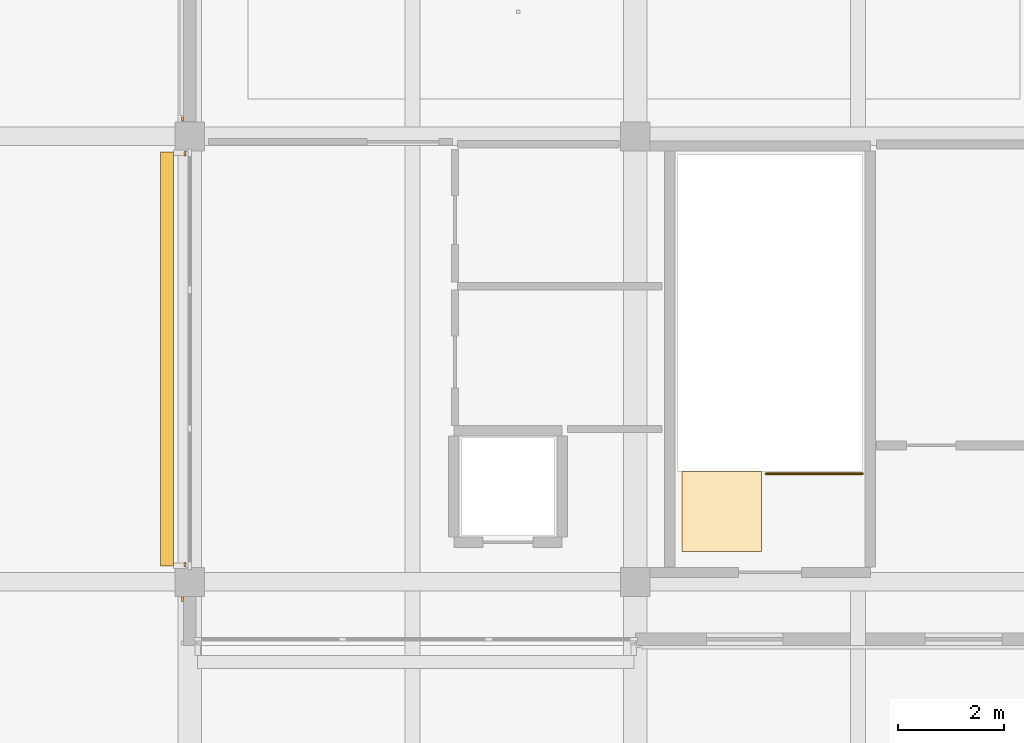
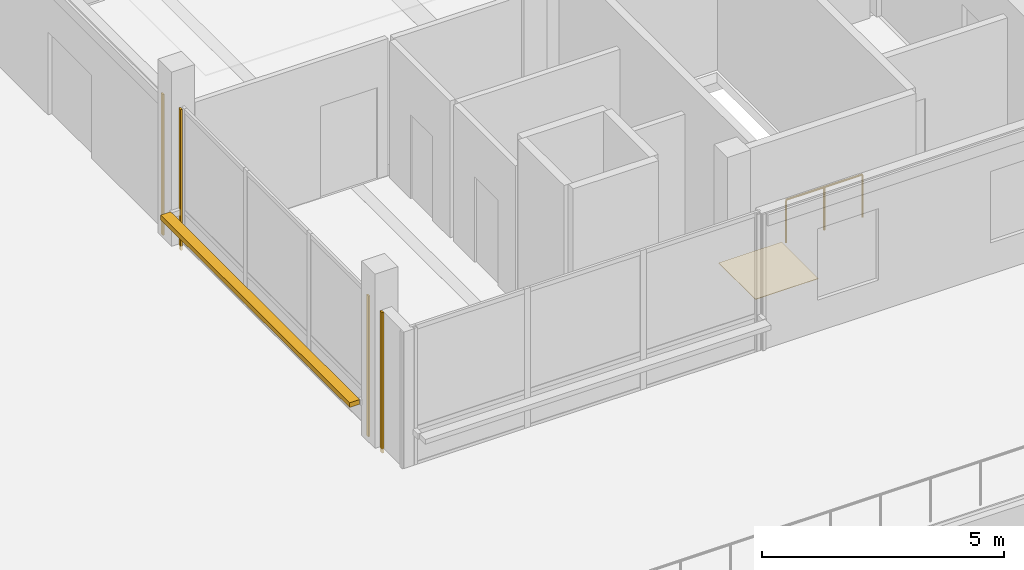
# One storey, part 39 of 59: 5 coverings, 1 railing, 1 shading device.
"""IFC4 building model written with IfcOpenShell, lengths in metres."""

from ifc_helpers import new_model, si_unit, direction, frame, origin, origin_2d, place, context, subcontext, project, spatial, polyline, rectangle, circle, outline, extrude, material, layer, layer_set, type_object, element, save


model = new_model("IFC4")

# Units and contexts
model_context = context("Model", 3, precision=1e-05, world=origin(), true_north=direction((0.0, 1.0)))
body_context = subcontext(model_context, "Body", "Model", "MODEL_VIEW")
ifc_project = project(units=[si_unit("LENGTHUNIT", "METRE"), si_unit("AREAUNIT", "SQUARE_METRE"), si_unit("VOLUMEUNIT", "CUBIC_METRE"), si_unit("PLANEANGLEUNIT", "RADIAN"), si_unit("MASSUNIT", "GRAM", prefix="KILO")], contexts=[model_context])

# Site, building, storey
site_placement = place(None, origin())
site = spatial("IfcSite", under=ifc_project, at=site_placement, CompositionType="ELEMENT")
building_placement = place(site_placement, origin())
building = spatial("IfcBuilding", under=site, at=building_placement, Name="Telukmera Botanical Conservatory", CompositionType="ELEMENT")
storey_placement = place(building_placement, frame((0.0, 0.0, 15.0)))
storey = spatial("IfcBuildingStorey", under=building, at=storey_placement, Name="L03", CompositionType="ELEMENT", Elevation=15.0)

# Coverings
ifc_material_1 = material(Name="Honed granite non-slip flooring", Category="masonry")
ifc_layer_1 = layer(ifc_material_1, 0.011962890625)
ifc_layer_set_1 = layer_set([ifc_layer_1], Name="Honed granite non-slip flooring")
covering_type_1 = type_object("IfcCoveringType", Name="COV-FLR-12", PredefinedType="FLOORING", material=ifc_layer_set_1)
covering_placement = place(storey_placement, origin())
element("IfcCovering", 1, at=covering_placement, inside=storey, type_object=covering_type_1, Name="L03 ST3 Non-Slip Stair Landing Finish", PredefinedType="FLOORING", context=body_context, shape_type="SweptSolid", body=[
    extrude(outline(polyline([(35.97998046875, 26.570068359375), (35.97998046875, 28.0849609375), (34.47998046875, 28.0849609375), (34.47998046875, 26.570068359375), (35.97998046875, 26.570068359375)])), origin(), (0.0, 0.0, 1.0), 0.011962890625),
])
ifc_material_2 = material(Name="Granite-faced precast concrete C40/50", Category="masonry")
ifc_layer_2 = layer(ifc_material_2, 0.0400390625)
ifc_layer_set_2 = layer_set([ifc_layer_2], Name="Granite-faced precast concrete C40/50")
covering_type_2 = type_object("IfcCoveringType", Name="Granite Precast Column Pier Reveal Casing", PredefinedType="CLADDING", material=ifc_layer_set_2)
for number, where, z_axis, x_axis, name in (
    (2, (25.06005859375, 25.673095703125, 0.0), (0.0, 0.0, 1.0), (0.0, 1.0, 0.0), "Granite Pier Reveal V3:L03:SWC R"),
    (3, (25.110107421875, 26.326904296875, 0.0), (0.0, 0.0, 1.0), (0.0, 1.0, 0.0), "Granite Pier Reveal V3:L03:W1 L"),
    (4, (25.110107421875, 34.072998046875, 0.0), (0.0, 0.0, 1.0), (0.0, 1.0, 0.0), "Granite Pier Reveal V3:L03:W1 R"),
    (5, (25.06005859375, 34.72705078125, 0.0), (0.0, 0.0, 1.0), (0.0, 1.0, 0.0), "Granite Pier Reveal V3:L03:W2 L"),
):
    element("IfcCovering", number, at=place(storey_placement, frame(where, z_axis=z_axis, x_axis=x_axis)), inside=storey, type_object=covering_type_2, Name=name, PredefinedType="CLADDING", context=body_context, shape_type="SweptSolid", body=[
        extrude(rectangle(XDim=0.080078125, YDim=0.0400390625, at=origin_2d()), origin(), (0.0, 0.0, 1.0), 3.550048828125),
    ])

# Shading device
ifc_material_3 = material(Name="Perforated terracotta-anodised aluminium 6063-T6", Category="masonry")
ifc_layer_3 = layer(ifc_material_3, 0.044921875)
ifc_layer_set_3 = layer_set([ifc_layer_3], Name="Perforated terracotta-anodised aluminium 6063-T6")
shading_device_type = type_object("IfcShadingDeviceType", Name="Perforated Terracotta Aluminium Monsoon Brise Soleil", PredefinedType="JALOUSIE", material=ifc_layer_set_3)
shading_device_placement = place(storey_placement, frame((24.77001953125, 30.199951171875, 0.889892578125), z_axis=(0.0, 0.0, 1.0), x_axis=(0.0, 1.0, 0.0)))
element("IfcShadingDevice", 6, at=shading_device_placement, inside=storey, type_object=shading_device_type, Name="Monsoon Shading BS01 V3:L03:W1", PredefinedType="JALOUSIE", context=body_context, shape_type="SweptSolid", body=[
    extrude(rectangle(XDim=7.805908203125, YDim=0.239990234375, at=origin_2d()), origin(), (0.0, 0.0, 1.0), 0.1201171875),
])

# Railing
ifc_material_4 = material(Name="Steel S355", Category="steel")
railing_type = type_object("IfcRailingType", Name="RL-GUARD-1100", PredefinedType="GUARDRAIL", material=ifc_material_4)
railing_placement = place(storey_placement, frame((37.8798828125, 28.0400390625, 0.0)))
element("IfcRailing", 7, at=railing_placement, inside=storey, type_object=railing_type, Name="L03 ST3 top well guard 1", PredefinedType="GUARDRAIL", context=body_context, shape_type="SweptSolid", body=[
    extrude(circle(Radius=0.02392578125, at=origin_2d()), frame((0.0, 0.0, 1.076171875), z_axis=(-1.0, 0.0, 0.0), x_axis=(0.0, -1.0, 0.0)), (0.0, 0.0, 1.0), 1.81982421875),
    extrude(circle(Radius=0.02099609375, at=origin_2d()), origin(), (0.0, 0.0, 1.0), 1.052001953125),
    extrude(circle(Radius=0.02099609375, at=origin_2d()), frame((-0.909912109375, 0.0, 0.0)), (0.0, 0.0, 1.0), 1.052001953125),
    extrude(circle(Radius=0.02099609375, at=origin_2d()), frame((-1.81982421875, 0.0, 0.0)), (0.0, 0.0, 1.0), 1.052001953125),
])

save(model, "model.ifc")
